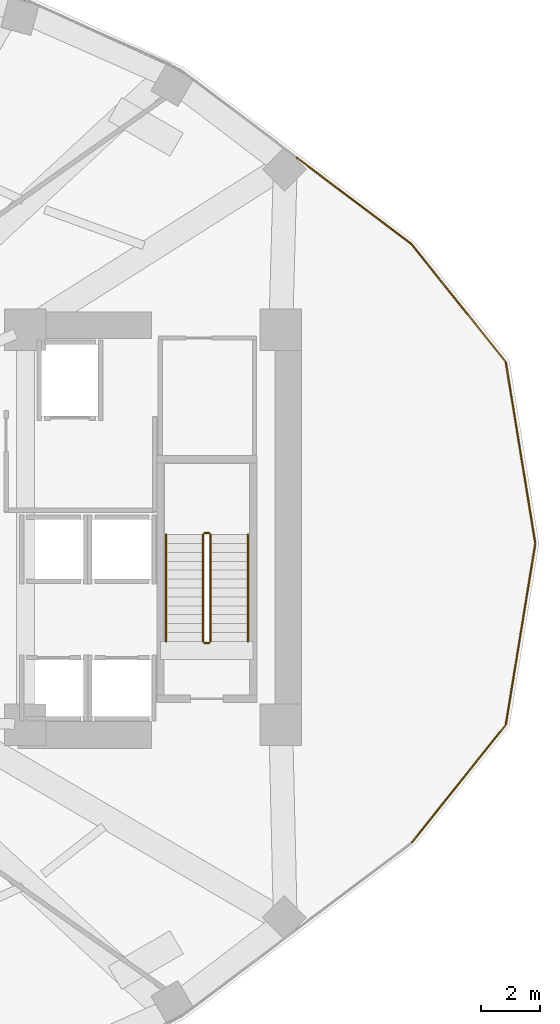
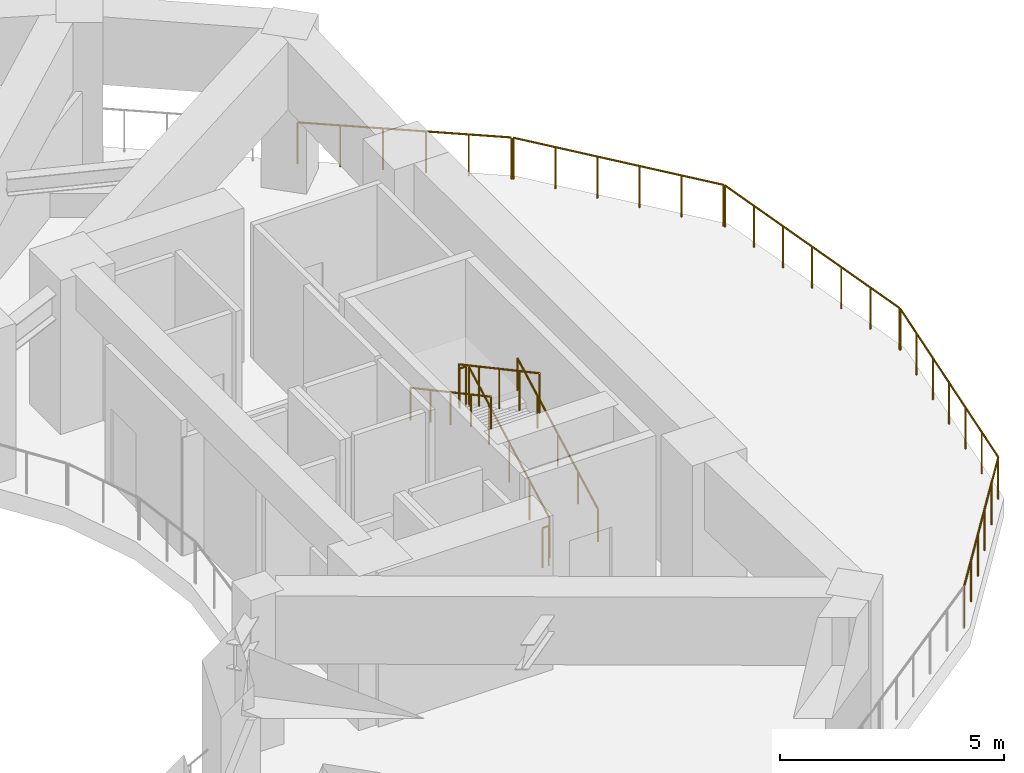
# One storey, part 9 of 10: 11 railings.
"""IFC4 building model written with IfcOpenShell, lengths in metres."""

from ifc_helpers import new_model, si_unit, direction, frame, origin, origin_2d, place, context, subcontext, project, spatial, circle, extrude, material, type_object, element, save


model = new_model("IFC4")

# Units and contexts
model_context = context("Model", 3, precision=1e-05, world=origin(), true_north=direction((0.0, 1.0)))
body_context = subcontext(model_context, "Body", "Model", "MODEL_VIEW")
ifc_project = project(units=[si_unit("LENGTHUNIT", "METRE"), si_unit("AREAUNIT", "SQUARE_METRE"), si_unit("VOLUMEUNIT", "CUBIC_METRE"), si_unit("PLANEANGLEUNIT", "RADIAN"), si_unit("MASSUNIT", "GRAM", prefix="KILO")], contexts=[model_context])

# Site, building, storey
site_placement = place(None, origin())
site = spatial("IfcSite", under=ifc_project, at=site_placement, CompositionType="ELEMENT")
building_placement = place(site_placement, origin())
building = spatial("IfcBuilding", under=site, at=building_placement, Name="Solvane Sanctuary Tower", CompositionType="ELEMENT")
storey_placement = place(building_placement, frame((0.0, 0.0, 69.0)))
storey = spatial("IfcBuildingStorey", under=building, at=storey_placement, Name="L20", CompositionType="ELEMENT", Elevation=69.0)

# Railings
ifc_material = material(Name="Architectural Stainless Steel 316", Category="steel")
railing_type_1 = type_object("IfcRailingType", Name="Railing GR-BALC-1150", PredefinedType="BALUSTRADE", material=ifc_material)
railing_1_placement = place(storey_placement, frame((57.269775390625, 23.019775390625, 0.0)))
element("IfcRailing", 1, at=railing_1_placement, inside=storey, type_object=railing_type_1, Name="L20 Open Void-Portal Perimeter Balustrade 00", PredefinedType="BALUSTRADE", context=body_context, shape_type="SweptSolid", body=[
    extrude(circle(Radius=0.02392578125, at=origin_2d()), frame((0.0, 0.0, 1.1259765625), z_axis=(-0.160776256298, 0.986990879092, 0.0), x_axis=(-0.986990879092, -0.160776256298, 0.0)), (0.0, 0.0, 1.0), 6.154541015625),
    extrude(circle(Radius=0.02099609375, at=origin_2d()), origin(), (0.0, 0.0, 1.0), 1.101806640625),
    extrude(circle(Radius=0.02099609375, at=origin_2d()), frame((-0.1650390625, 1.012451171875, 0.0)), (0.0, 0.0, 1.0), 1.101806640625),
    extrude(circle(Radius=0.02099609375, at=origin_2d()), frame((-0.329833984375, 2.02490234375, 0.0)), (0.0, 0.0, 1.0), 1.101806640625),
    extrude(circle(Radius=0.02099609375, at=origin_2d()), frame((-0.49462890625, 3.037109375, 0.0)), (0.0, 0.0, 1.0), 1.101806640625),
    extrude(circle(Radius=0.02099609375, at=origin_2d()), frame((-0.65966796875, 4.049560546875, 0.0)), (0.0, 0.0, 1.0), 1.101806640625),
    extrude(circle(Radius=0.02099609375, at=origin_2d()), frame((-0.82470703125, 5.06201171875, 0.0)), (0.0, 0.0, 1.0), 1.101806640625),
    extrude(circle(Radius=0.02099609375, at=origin_2d()), frame((-0.989501953125, 6.074462890625, 0.0)), (0.0, 0.0, 1.0), 1.101806640625),
])
railing_2_placement = place(storey_placement, frame((56.2646484375, 29.12939453125, 0.0)))
element("IfcRailing", 2, at=railing_2_placement, inside=storey, type_object=railing_type_1, Name="L20 Open Void-Portal Perimeter Balustrade 01", PredefinedType="BALUSTRADE", context=body_context, shape_type="SweptSolid", body=[
    extrude(circle(Radius=0.02392578125, at=origin_2d()), frame((0.0, 0.0, 1.1259765625), z_axis=(-0.624458517419, 0.781057974815, 0.0), x_axis=(-0.781057974815, -0.624458517419, 0.0)), (0.0, 0.0, 1.0), 5.03564453125),
    extrude(circle(Radius=0.02099609375, at=origin_2d()), origin(), (0.0, 0.0, 1.0), 1.101806640625),
    extrude(circle(Radius=0.02099609375, at=origin_2d()), frame((-0.62890625, 0.78662109375, 0.0)), (0.0, 0.0, 1.0), 1.101806640625),
    extrude(circle(Radius=0.02099609375, at=origin_2d()), frame((-1.2578125, 1.5732421875, 0.0)), (0.0, 0.0, 1.0), 1.101806640625),
    extrude(circle(Radius=0.02099609375, at=origin_2d()), frame((-1.88671875, 2.35986328125, 0.0)), (0.0, 0.0, 1.0), 1.101806640625),
    extrude(circle(Radius=0.02099609375, at=origin_2d()), frame((-2.515625, 3.146484375, 0.0)), (0.0, 0.0, 1.0), 1.101806640625),
    extrude(circle(Radius=0.02099609375, at=origin_2d()), frame((-3.14453125, 3.93310546875, 0.0)), (0.0, 0.0, 1.0), 1.101806640625),
])
railing_3_placement = place(storey_placement, frame((53.091552734375, 33.090087890625, 0.0)))
element("IfcRailing", 3, at=railing_3_placement, inside=storey, type_object=railing_type_1, Name="L20 Open Void-Portal Perimeter Balustrade 02", PredefinedType="BALUSTRADE", context=body_context, shape_type="SweptSolid", body=[
    extrude(circle(Radius=0.02392578125, at=origin_2d()), frame((0.0, 0.0, 1.1259765625), z_axis=(-0.798476908887, 0.602025436318, 0.0), x_axis=(-0.602025436318, -0.798476908887, 0.0)), (0.0, 0.0, 1.0), 4.81689453125),
    extrude(circle(Radius=0.02099609375, at=origin_2d()), origin(), (0.0, 0.0, 1.0), 1.101806640625),
    extrude(circle(Radius=0.02099609375, at=origin_2d()), frame((-0.769287109375, 0.580078125, 0.0)), (0.0, 0.0, 1.0), 1.101806640625),
    extrude(circle(Radius=0.02099609375, at=origin_2d()), frame((-1.53857421875, 1.159912109375, 0.0)), (0.0, 0.0, 1.0), 1.101806640625),
    extrude(circle(Radius=0.02099609375, at=origin_2d()), frame((-2.3076171875, 1.739990234375, 0.0)), (0.0, 0.0, 1.0), 1.101806640625),
    extrude(circle(Radius=0.02099609375, at=origin_2d()), frame((-3.076904296875, 2.31982421875, 0.0)), (0.0, 0.0, 1.0), 1.101806640625),
    extrude(circle(Radius=0.02099609375, at=origin_2d()), frame((-3.84619140625, 2.89990234375, 0.0)), (0.0, 0.0, 1.0), 1.101806640625),
])
railing_4_placement = place(storey_placement, frame((53.1201171875, 12.9375, 0.0)))
element("IfcRailing", 4, at=railing_4_placement, inside=storey, type_object=railing_type_1, Name="L20 Open Void-Portal Perimeter Balustrade 22", PredefinedType="BALUSTRADE", context=body_context, shape_type="SweptSolid", body=[
    extrude(circle(Radius=0.02392578125, at=origin_2d()), frame((0.0, 0.0, 1.1259765625), z_axis=(0.624458517419, 0.781057974815, 0.0), x_axis=(-0.781057974815, 0.624458517419, 0.0)), (0.0, 0.0, 1.0), 5.03564453125),
    extrude(circle(Radius=0.02099609375, at=origin_2d()), origin(), (0.0, 0.0, 1.0), 1.101806640625),
    extrude(circle(Radius=0.02099609375, at=origin_2d()), frame((0.62890625, 0.78662109375, 0.0)), (0.0, 0.0, 1.0), 1.101806640625),
    extrude(circle(Radius=0.02099609375, at=origin_2d()), frame((1.2578125, 1.5732421875, 0.0)), (0.0, 0.0, 1.0), 1.101806640625),
    extrude(circle(Radius=0.02099609375, at=origin_2d()), frame((1.88671875, 2.35986328125, 0.0)), (0.0, 0.0, 1.0), 1.101806640625),
    extrude(circle(Radius=0.02099609375, at=origin_2d()), frame((2.515625, 3.146484375, 0.0)), (0.0, 0.0, 1.0), 1.101806640625),
    extrude(circle(Radius=0.02099609375, at=origin_2d()), frame((3.14453125, 3.93310546875, 0.0)), (0.0, 0.0, 1.0), 1.101806640625),
])
railing_5_placement = place(storey_placement, frame((56.2802734375, 16.90576171875, 0.0)))
element("IfcRailing", 5, at=railing_5_placement, inside=storey, type_object=railing_type_1, Name="L20 Open Void-Portal Perimeter Balustrade 23", PredefinedType="BALUSTRADE", context=body_context, shape_type="SweptSolid", body=[
    extrude(circle(Radius=0.02392578125, at=origin_2d()), frame((0.0, 0.0, 1.1259765625), z_axis=(0.160776256298, 0.986990879092, 0.0), x_axis=(-0.986990879092, 0.160776256298, 0.0)), (0.0, 0.0, 1.0), 6.154541015625),
    extrude(circle(Radius=0.02099609375, at=origin_2d()), origin(), (0.0, 0.0, 1.0), 1.101806640625),
    extrude(circle(Radius=0.02099609375, at=origin_2d()), frame((0.1650390625, 1.012451171875, 0.0)), (0.0, 0.0, 1.0), 1.101806640625),
    extrude(circle(Radius=0.02099609375, at=origin_2d()), frame((0.329833984375, 2.02490234375, 0.0)), (0.0, 0.0, 1.0), 1.101806640625),
    extrude(circle(Radius=0.02099609375, at=origin_2d()), frame((0.49462890625, 3.037109375, 0.0)), (0.0, 0.0, 1.0), 1.101806640625),
    extrude(circle(Radius=0.02099609375, at=origin_2d()), frame((0.65966796875, 4.049560546875, 0.0)), (0.0, 0.0, 1.0), 1.101806640625),
    extrude(circle(Radius=0.02099609375, at=origin_2d()), frame((0.82470703125, 5.06201171875, 0.0)), (0.0, 0.0, 1.0), 1.101806640625),
    extrude(circle(Radius=0.02099609375, at=origin_2d()), frame((0.989501953125, 6.074462890625, 0.0)), (0.0, 0.0, 1.0), 1.101806640625),
])
railing_6_placement = place(storey_placement, frame((46.340087890625, 19.699951171875, 0.16162109375)))
element("IfcRailing", 6, at=railing_6_placement, inside=storey, type_object=railing_type_1, Name="L20 ST-2 stair guard 1", PredefinedType="BALUSTRADE", context=body_context, shape_type="SweptSolid", body=[
    extrude(circle(Radius=0.02392578125, at=origin_2d()), frame((0.0, 0.0, 1.076171875), z_axis=(0.0, 0.880474934443, 0.474092701714), x_axis=(-1.0, 0.0, 0.0)), (0.0, 0.0, 1.0), 4.0888671875),
    extrude(circle(Radius=0.02099609375, at=origin_2d()), origin(), (0.0, 0.0, 1.0), 1.052001953125),
    extrude(circle(Radius=0.02099609375, at=origin_2d()), frame((0.0, 0.89990234375, 0.484619140625)), (0.0, 0.0, 1.0), 1.052001953125),
    extrude(circle(Radius=0.02099609375, at=origin_2d()), frame((0.0, 1.800048828125, 0.96923828125)), (0.0, 0.0, 1.0), 1.052001953125),
    extrude(circle(Radius=0.02099609375, at=origin_2d()), frame((0.0, 2.7001953125, 1.453857421875)), (0.0, 0.0, 1.0), 1.052001953125),
    extrude(circle(Radius=0.02099609375, at=origin_2d()), frame((0.0, 3.60009765625, 1.9384765625)), (0.0, 0.0, 1.0), 1.052001953125),
])
railing_7_placement = place(storey_placement, frame((46.2900390625, 23.35009765625, 2.10009765625)))
element("IfcRailing", 7, at=railing_7_placement, inside=storey, type_object=railing_type_1, Name="L20 ST-2 stair guard 2", PredefinedType="BALUSTRADE", context=body_context, shape_type="SweptSolid", body=[
    extrude(circle(Radius=0.02392578125, at=origin_2d()), frame((0.0, 0.0, 1.076171875), z_axis=(-1.0, 0.0, 0.0), x_axis=(0.0, -1.0, 0.0)), (0.0, 0.0, 1.0), 0.16015625),
    extrude(circle(Radius=0.02099609375, at=origin_2d()), origin(), (0.0, 0.0, 1.0), 1.052001953125),
    extrude(circle(Radius=0.02099609375, at=origin_2d()), frame((-0.16015625, 0.0, 0.0)), (0.0, 0.0, 1.0), 1.052001953125),
])
railing_8_placement = place(storey_placement, frame((46.080078125, 23.300048828125, 2.261474609375)))
element("IfcRailing", 8, at=railing_8_placement, inside=storey, type_object=railing_type_1, Name="L20 ST-2 stair guard 3", PredefinedType="BALUSTRADE", context=body_context, shape_type="SweptSolid", body=[
    extrude(circle(Radius=0.02392578125, at=origin_2d()), frame((0.0, 0.0, 1.076171875), z_axis=(0.0, -0.880474934443, 0.474092701714), x_axis=(1.0, 0.0, 0.0)), (0.0, 0.0, 1.0), 4.0888671875),
    extrude(circle(Radius=0.02099609375, at=origin_2d()), origin(), (0.0, 0.0, 1.0), 1.052001953125),
    extrude(circle(Radius=0.02099609375, at=origin_2d()), frame((0.0, -0.89990234375, 0.484619140625)), (0.0, 0.0, 1.0), 1.052001953125),
    extrude(circle(Radius=0.02099609375, at=origin_2d()), frame((0.0, -1.800048828125, 0.96923828125)), (0.0, 0.0, 1.0), 1.052001953125),
    extrude(circle(Radius=0.02099609375, at=origin_2d()), frame((0.0, -2.7001953125, 1.453857421875)), (0.0, 0.0, 1.0), 1.052001953125),
    extrude(circle(Radius=0.02099609375, at=origin_2d()), frame((0.0, -3.60009765625, 1.9384765625)), (0.0, 0.0, 1.0), 1.052001953125),
])
railing_9_placement = place(storey_placement, frame((46.2900390625, 19.64990234375, 0.0)))
element("IfcRailing", 9, at=railing_9_placement, inside=storey, type_object=railing_type_1, Name="L20 ST-2 stair guard 4", PredefinedType="BALUSTRADE", context=body_context, shape_type="SweptSolid", body=[
    extrude(circle(Radius=0.02392578125, at=origin_2d()), frame((0.0, 0.0, 1.076171875), z_axis=(-1.0, 0.0, 0.0), x_axis=(0.0, -1.0, 0.0)), (0.0, 0.0, 1.0), 0.16015625),
    extrude(circle(Radius=0.02099609375, at=origin_2d()), origin(), (0.0, 0.0, 1.0), 1.052001953125),
    extrude(circle(Radius=0.02099609375, at=origin_2d()), frame((-0.16015625, 0.0, 0.0)), (0.0, 0.0, 1.0), 1.052001953125),
])
railing_type_2 = type_object("IfcRailingType", Name="Railing HR-STAIR-920", PredefinedType="HANDRAIL", material=ifc_material)
railing_10_placement = place(storey_placement, frame((47.590087890625, 19.699951171875, 0.16162109375)))
element("IfcRailing", 10, at=railing_10_placement, inside=storey, type_object=railing_type_2, Name="L20 ST-2 stair handrail 1", PredefinedType="HANDRAIL", context=body_context, shape_type="SweptSolid", body=[
    extrude(circle(Radius=0.02392578125, at=origin_2d()), frame((0.0, 0.0, 0.8759765625), z_axis=(0.0, 0.880474934443, 0.474092701714), x_axis=(-1.0, 0.0, 0.0)), (0.0, 0.0, 1.0), 4.0888671875),
    extrude(circle(Radius=0.02099609375, at=origin_2d()), origin(), (0.0, 0.0, 1.0), 0.851806640625),
    extrude(circle(Radius=0.02099609375, at=origin_2d()), frame((0.0, 0.89990234375, 0.484619140625)), (0.0, 0.0, 1.0), 0.851806640625),
    extrude(circle(Radius=0.02099609375, at=origin_2d()), frame((0.0, 1.800048828125, 0.96923828125)), (0.0, 0.0, 1.0), 0.851806640625),
    extrude(circle(Radius=0.02099609375, at=origin_2d()), frame((0.0, 2.7001953125, 1.453857421875)), (0.0, 0.0, 1.0), 0.851806640625),
    extrude(circle(Radius=0.02099609375, at=origin_2d()), frame((0.0, 3.60009765625, 1.9384765625)), (0.0, 0.0, 1.0), 0.851806640625),
])
railing_11_placement = place(storey_placement, frame((44.830078125, 23.300048828125, 2.261474609375)))
element("IfcRailing", 11, at=railing_11_placement, inside=storey, type_object=railing_type_2, Name="L20 ST-2 stair handrail 2", PredefinedType="HANDRAIL", context=body_context, shape_type="SweptSolid", body=[
    extrude(circle(Radius=0.02392578125, at=origin_2d()), frame((0.0, 0.0, 0.8759765625), z_axis=(0.0, -0.880474934443, 0.474092701714), x_axis=(1.0, 0.0, 0.0)), (0.0, 0.0, 1.0), 4.0888671875),
    extrude(circle(Radius=0.02099609375, at=origin_2d()), origin(), (0.0, 0.0, 1.0), 0.851806640625),
    extrude(circle(Radius=0.02099609375, at=origin_2d()), frame((0.0, -0.89990234375, 0.484619140625)), (0.0, 0.0, 1.0), 0.851806640625),
    extrude(circle(Radius=0.02099609375, at=origin_2d()), frame((0.0, -1.800048828125, 0.96923828125)), (0.0, 0.0, 1.0), 0.851806640625),
    extrude(circle(Radius=0.02099609375, at=origin_2d()), frame((0.0, -2.7001953125, 1.453857421875)), (0.0, 0.0, 1.0), 0.851806640625),
    extrude(circle(Radius=0.02099609375, at=origin_2d()), frame((0.0, -3.60009765625, 1.9384765625)), (0.0, 0.0, 1.0), 0.851806640625),
])

save(model, "model.ifc")
